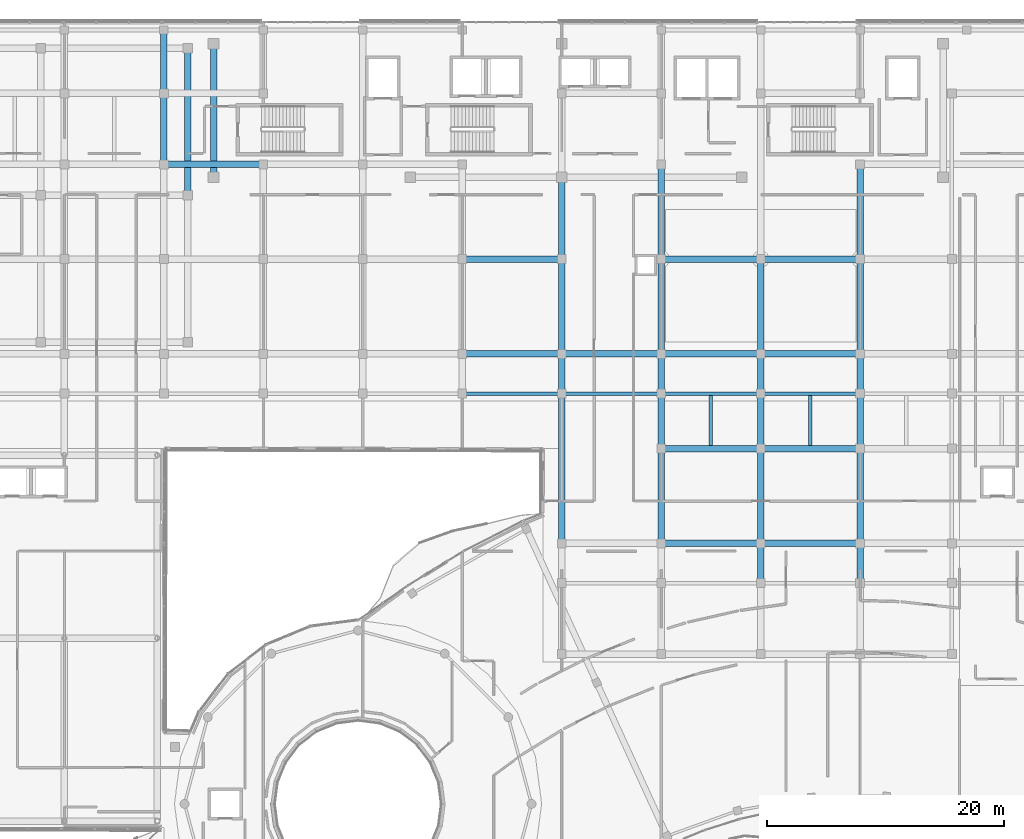
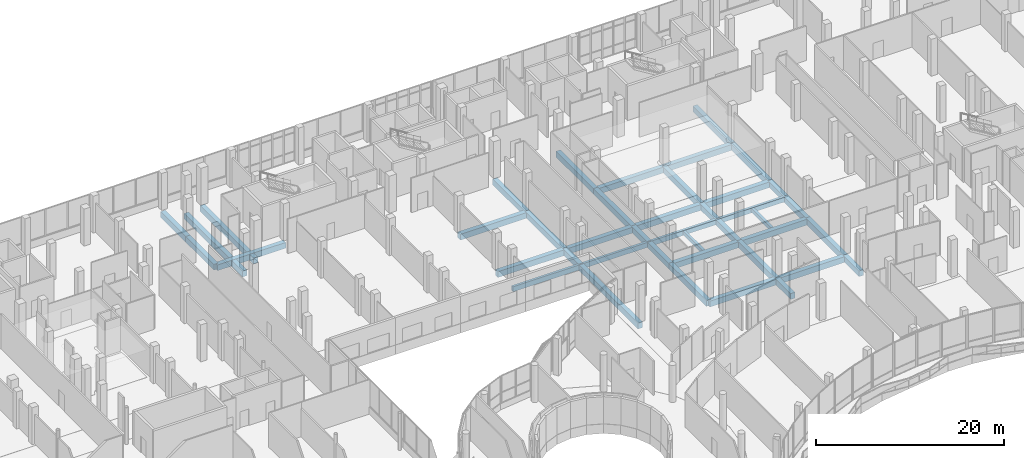
# One storey, part 81 of 155: 42 beams.
"""IFC4 building model written with IfcOpenShell, lengths in metres."""

from ifc_helpers import new_model, si_unit, direction, frame, origin, origin_2d, place, context, subcontext, project, spatial, rectangle, extrude, material, material_profile, profile_set, type_object, element, save


model = new_model("IFC4")

# Units and contexts
model_context = context("Model", 3, precision=1e-05, world=origin(), true_north=direction((0.0, 1.0)))
body_context = subcontext(model_context, "Body", "Model", "MODEL_VIEW")
ifc_project = project(units=[si_unit("LENGTHUNIT", "METRE"), si_unit("AREAUNIT", "SQUARE_METRE"), si_unit("VOLUMEUNIT", "CUBIC_METRE"), si_unit("PLANEANGLEUNIT", "RADIAN"), si_unit("MASSUNIT", "GRAM", prefix="KILO")], contexts=[model_context])

# Site, building, storey
site_placement = place(None, origin())
site = spatial("IfcSite", under=ifc_project, at=site_placement, CompositionType="ELEMENT")
building_placement = place(site_placement, origin())
building = spatial("IfcBuilding", under=site, at=building_placement, Name="Selatvlak General Hospital", CompositionType="ELEMENT")
storey_placement = place(building_placement, frame((0.0, 0.0, 10.199951171875)))
storey = spatial("IfcBuildingStorey", under=building, at=storey_placement, Name="L02", CompositionType="ELEMENT", Elevation=10.199951171875)

# Beams
ifc_material = material(Name="Concrete C40/50", Category="concrete")
ifc_material_profile_1 = material_profile(ifc_material, rectangle(XDim=0.550048828125, YDim=0.75, at=origin_2d()), Name="RC-BM 550x750")
ifc_profile_set_1 = profile_set([ifc_material_profile_1], Name="Concrete C40/50")
beam_type_1 = type_object("IfcBeamType", Name="BM-G02", PredefinedType="BEAM", material=ifc_profile_set_1)
for number, where, z_axis, x_axis, name in (
    (1, (123.60009765625, 76.0, -0.72998046875), (1.0, 0.0, 0.0), (0.0, 1.0, 0.0), "Beam BMR-L02-0799"),
    (2, (132.0, 76.0, -0.72998046875), (1.0, 0.0, 0.0), (0.0, 1.0, 0.0), "Beam BMR-L02-0800"),
    (3, (123.60009765625, 84.0, -0.72998046875), (1.0, 0.0, 0.0), (0.0, 1.0, 0.0), "Beam BMR-L02-0813"),
    (4, (132.0, 84.0, -0.72998046875), (1.0, 0.0, 0.0), (0.0, 1.0, 0.0), "Beam BMR-L02-0814"),
    (5, (106.800048828125, 92.0, -0.72998046875), (1.0, 0.0, 0.0), (0.0, 1.0, 0.0), "Beam BMR-L02-0846"),
):
    element("IfcBeam", number, at=place(storey_placement, frame(where, z_axis=z_axis, x_axis=x_axis)), inside=storey, type_object=beam_type_1, Name=name, PredefinedType="BEAM", context=body_context, shape_type="SweptSolid", body=[
        extrude(rectangle(XDim=0.550048828125, YDim=0.75, at=origin_2d()), origin(), (0.0, 0.0, 1.0), 8.39990234375),
    ])
beam_1_placement = place(storey_placement, frame((115.199951171875, 92.0, -0.72998046875), z_axis=(1.0, 0.0, 0.0), x_axis=(0.0, 1.0, 0.0)))
element("IfcBeam", 6, at=beam_1_placement, inside=storey, type_object=beam_type_1, Name="Beam BMR-L02-0847", PredefinedType="BEAM", context=body_context, shape_type="SweptSolid", body=[
    extrude(rectangle(XDim=0.550048828125, YDim=0.75, at=origin_2d()), origin(), (0.0, 0.0, 1.0), 8.400146484375),
])
for number, where, z_axis, x_axis, name in (
    (7, (123.60009765625, 92.0, -0.72998046875), (1.0, 0.0, 0.0), (0.0, 1.0, 0.0), "Beam BMR-L02-0848"),
    (8, (132.0, 92.0, -0.72998046875), (1.0, 0.0, 0.0), (0.0, 1.0, 0.0), "Beam BMR-L02-0849"),
    (9, (106.800048828125, 100.0, -0.72998046875), (1.0, 0.0, 0.0), (0.0, 1.0, 0.0), "Beam BMR-L02-0868"),
    (10, (123.60009765625, 100.0, -0.72998046875), (1.0, 0.0, 0.0), (0.0, 1.0, 0.0), "Beam BMR-L02-0869"),
    (11, (132.0, 100.0, -0.72998046875), (1.0, 0.0, 0.0), (0.0, 1.0, 0.0), "Beam BMR-L02-0870"),
    (12, (81.60009765625, 108.0, -0.72998046875), (1.0, 0.0, 0.0), (0.0, 1.0, 0.0), "Beam BMR-L02-0887"),
):
    element("IfcBeam", number, at=place(storey_placement, frame(where, z_axis=z_axis, x_axis=x_axis)), inside=storey, type_object=beam_type_1, Name=name, PredefinedType="BEAM", context=body_context, shape_type="SweptSolid", body=[
        extrude(rectangle(XDim=0.550048828125, YDim=0.75, at=origin_2d()), origin(), (0.0, 0.0, 1.0), 8.39990234375),
    ])
beam_2_placement = place(storey_placement, frame((81.60009765625, 108.0, -0.72998046875), z_axis=(0.0, 1.0, 0.0), x_axis=(-1.0, 0.0, 0.0)))
element("IfcBeam", 13, at=beam_2_placement, inside=storey, type_object=beam_type_1, Name="Beam BMR-L02-0988", PredefinedType="BEAM", context=body_context, shape_type="SweptSolid", body=[
    extrude(rectangle(XDim=0.550048828125, YDim=0.75, at=origin_2d()), origin(), (0.0, 0.0, 1.0), 6.0),
])
beam_3_placement = place(storey_placement, frame((81.60009765625, 114.0, -0.72998046875), z_axis=(0.0, 1.0, 0.0), x_axis=(-1.0, 0.0, 0.0)))
element("IfcBeam", 14, at=beam_3_placement, inside=storey, type_object=beam_type_1, Name="Beam BMR-L02-0989", PredefinedType="BEAM", context=body_context, shape_type="SweptSolid", body=[
    extrude(rectangle(XDim=0.550048828125, YDim=0.75, at=origin_2d()), origin(), (0.0, 0.0, 1.0), 5.35009765625),
])
beam_4_placement = place(storey_placement, frame((83.60009765625, 105.39990234375, -0.72998046875), z_axis=(0.0, 1.0, 0.0), x_axis=(-1.0, 0.0, 0.0)))
element("IfcBeam", 15, at=beam_4_placement, inside=storey, type_object=beam_type_1, Name="Beam BMR-L02-0991", PredefinedType="BEAM", context=body_context, shape_type="SweptSolid", body=[
    extrude(rectangle(XDim=0.550048828125, YDim=0.75, at=origin_2d()), origin(), (0.0, 0.0, 1.0), 12.400146484375),
])
beam_5_placement = place(storey_placement, frame((85.800048828125, 106.89990234375, -0.72998046875), z_axis=(0.0, 1.0, 0.0), x_axis=(-1.0, 0.0, 0.0)))
element("IfcBeam", 16, at=beam_5_placement, inside=storey, type_object=beam_type_1, Name="Beam BMR-L02-0992", PredefinedType="BEAM", context=body_context, shape_type="SweptSolid", body=[
    extrude(rectangle(XDim=0.550048828125, YDim=0.75, at=origin_2d()), origin(), (0.0, 0.0, 1.0), 11.300048828125),
])
beam_6_placement = place(storey_placement, frame((115.199951171875, 76.0, -0.72998046875), z_axis=(0.0, 1.0, 0.0), x_axis=(-1.0, 0.0, 0.0)))
element("IfcBeam", 17, at=beam_6_placement, inside=storey, type_object=beam_type_1, Name="Beam BMR-L02-1006", PredefinedType="BEAM", context=body_context, shape_type="SweptSolid", body=[
    extrude(rectangle(XDim=0.550048828125, YDim=0.75, at=origin_2d()), origin(), (0.0, 0.0, 1.0), 12.64990234375),
])
beam_7_placement = place(storey_placement, frame((115.199951171875, 88.64990234375, -0.72998046875), z_axis=(0.0, 1.0, 0.0), x_axis=(-1.0, 0.0, 0.0)))
element("IfcBeam", 18, at=beam_7_placement, inside=storey, type_object=beam_type_1, Name="Beam BMR-L02-1007", PredefinedType="BEAM", context=body_context, shape_type="SweptSolid", body=[
    extrude(rectangle(XDim=0.550048828125, YDim=0.75, at=origin_2d()), origin(), (0.0, 0.0, 1.0), 3.35009765625),
])
beam_8_placement = place(storey_placement, frame((115.199951171875, 92.0, -0.72998046875), z_axis=(0.0, 1.0, 0.0), x_axis=(-1.0, 0.0, 0.0)))
element("IfcBeam", 19, at=beam_8_placement, inside=storey, type_object=beam_type_1, Name="Beam BMR-L02-1008", PredefinedType="BEAM", context=body_context, shape_type="SweptSolid", body=[
    extrude(rectangle(XDim=0.550048828125, YDim=0.75, at=origin_2d()), origin(), (0.0, 0.0, 1.0), 8.0),
])
beam_9_placement = place(storey_placement, frame((115.199951171875, 100.0, -0.72998046875), z_axis=(0.0, 1.0, 0.0), x_axis=(-1.0, 0.0, 0.0)))
element("IfcBeam", 20, at=beam_9_placement, inside=storey, type_object=beam_type_1, Name="Beam BMR-L02-1009", PredefinedType="BEAM", context=body_context, shape_type="SweptSolid", body=[
    extrude(rectangle(XDim=0.550048828125, YDim=0.75, at=origin_2d()), origin(), (0.0, 0.0, 1.0), 6.89990234375),
])
beam_10_placement = place(storey_placement, frame((123.60009765625, 76.0, -0.72998046875), z_axis=(0.0, 1.0, 0.0), x_axis=(-1.0, 0.0, 0.0)))
element("IfcBeam", 21, at=beam_10_placement, inside=storey, type_object=beam_type_1, Name="Beam BMR-L02-1013", PredefinedType="BEAM", context=body_context, shape_type="SweptSolid", body=[
    extrude(rectangle(XDim=0.550048828125, YDim=0.75, at=origin_2d()), origin(), (0.0, 0.0, 1.0), 8.0),
])
beam_11_placement = place(storey_placement, frame((123.60009765625, 84.0, -0.72998046875), z_axis=(0.0, 1.0, 0.0), x_axis=(-1.0, 0.0, 0.0)))
element("IfcBeam", 22, at=beam_11_placement, inside=storey, type_object=beam_type_1, Name="Beam BMR-L02-1014", PredefinedType="BEAM", context=body_context, shape_type="SweptSolid", body=[
    extrude(rectangle(XDim=0.550048828125, YDim=0.75, at=origin_2d()), origin(), (0.0, 0.0, 1.0), 4.64990234375),
])
beam_12_placement = place(storey_placement, frame((123.60009765625, 88.64990234375, -0.72998046875), z_axis=(0.0, 1.0, 0.0), x_axis=(-1.0, 0.0, 0.0)))
element("IfcBeam", 23, at=beam_12_placement, inside=storey, type_object=beam_type_1, Name="Beam BMR-L02-1015", PredefinedType="BEAM", context=body_context, shape_type="SweptSolid", body=[
    extrude(rectangle(XDim=0.550048828125, YDim=0.75, at=origin_2d()), origin(), (0.0, 0.0, 1.0), 3.35009765625),
])
for number, where, z_axis, x_axis, name in (
    (24, (123.60009765625, 92.0, -0.72998046875), (0.0, 1.0, 0.0), (-1.0, 0.0, 0.0), "Beam BMR-L02-1016"),
    (25, (123.60009765625, 100.0, -0.72998046875), (0.0, 1.0, 0.0), (-1.0, 0.0, 0.0), "Beam BMR-L02-1017"),
):
    element("IfcBeam", number, at=place(storey_placement, frame(where, z_axis=z_axis, x_axis=x_axis)), inside=storey, type_object=beam_type_1, Name=name, PredefinedType="BEAM", context=body_context, shape_type="SweptSolid", body=[
        extrude(rectangle(XDim=0.550048828125, YDim=0.75, at=origin_2d()), origin(), (0.0, 0.0, 1.0), 8.0),
    ])
beam_13_placement = place(storey_placement, frame((132.0, 72.64990234375, -0.72998046875), z_axis=(0.0, 1.0, 0.0), x_axis=(-1.0, 0.0, 0.0)))
element("IfcBeam", 26, at=beam_13_placement, inside=storey, type_object=beam_type_1, Name="Beam BMR-L02-1021", PredefinedType="BEAM", context=body_context, shape_type="SweptSolid", body=[
    extrude(rectangle(XDim=0.550048828125, YDim=0.75, at=origin_2d()), origin(), (0.0, 0.0, 1.0), 3.35009765625),
])
beam_14_placement = place(storey_placement, frame((132.0, 76.0, -0.72998046875), z_axis=(0.0, 1.0, 0.0), x_axis=(-1.0, 0.0, 0.0)))
element("IfcBeam", 27, at=beam_14_placement, inside=storey, type_object=beam_type_1, Name="Beam BMR-L02-1022", PredefinedType="BEAM", context=body_context, shape_type="SweptSolid", body=[
    extrude(rectangle(XDim=0.550048828125, YDim=0.75, at=origin_2d()), origin(), (0.0, 0.0, 1.0), 8.0),
])
beam_15_placement = place(storey_placement, frame((132.0, 84.0, -0.72998046875), z_axis=(0.0, 1.0, 0.0), x_axis=(-1.0, 0.0, 0.0)))
element("IfcBeam", 28, at=beam_15_placement, inside=storey, type_object=beam_type_1, Name="Beam BMR-L02-1023", PredefinedType="BEAM", context=body_context, shape_type="SweptSolid", body=[
    extrude(rectangle(XDim=0.550048828125, YDim=0.75, at=origin_2d()), origin(), (0.0, 0.0, 1.0), 4.64990234375),
])
beam_16_placement = place(storey_placement, frame((132.0, 88.64990234375, -0.72998046875), z_axis=(0.0, 1.0, 0.0), x_axis=(-1.0, 0.0, 0.0)))
element("IfcBeam", 29, at=beam_16_placement, inside=storey, type_object=beam_type_1, Name="Beam BMR-L02-1024", PredefinedType="BEAM", context=body_context, shape_type="SweptSolid", body=[
    extrude(rectangle(XDim=0.550048828125, YDim=0.75, at=origin_2d()), origin(), (0.0, 0.0, 1.0), 3.35009765625),
])
beam_17_placement = place(storey_placement, frame((132.0, 92.0, -0.72998046875), z_axis=(0.0, 1.0, 0.0), x_axis=(-1.0, 0.0, 0.0)))
element("IfcBeam", 30, at=beam_17_placement, inside=storey, type_object=beam_type_1, Name="Beam BMR-L02-1025", PredefinedType="BEAM", context=body_context, shape_type="SweptSolid", body=[
    extrude(rectangle(XDim=0.550048828125, YDim=0.75, at=origin_2d()), origin(), (0.0, 0.0, 1.0), 8.0),
])
beam_18_placement = place(storey_placement, frame((140.39990234375, 72.64990234375, -0.72998046875), z_axis=(0.0, 1.0, 0.0), x_axis=(-1.0, 0.0, 0.0)))
element("IfcBeam", 31, at=beam_18_placement, inside=storey, type_object=beam_type_1, Name="Beam BMR-L02-1029", PredefinedType="BEAM", context=body_context, shape_type="SweptSolid", body=[
    extrude(rectangle(XDim=0.550048828125, YDim=0.75, at=origin_2d()), origin(), (0.0, 0.0, 1.0), 3.35009765625),
])
beam_19_placement = place(storey_placement, frame((140.39990234375, 76.0, -0.72998046875), z_axis=(0.0, 1.0, 0.0), x_axis=(-1.0, 0.0, 0.0)))
element("IfcBeam", 32, at=beam_19_placement, inside=storey, type_object=beam_type_1, Name="Beam BMR-L02-1030", PredefinedType="BEAM", context=body_context, shape_type="SweptSolid", body=[
    extrude(rectangle(XDim=0.550048828125, YDim=0.75, at=origin_2d()), origin(), (0.0, 0.0, 1.0), 8.0),
])
beam_20_placement = place(storey_placement, frame((140.39990234375, 84.0, -0.72998046875), z_axis=(0.0, 1.0, 0.0), x_axis=(-1.0, 0.0, 0.0)))
element("IfcBeam", 33, at=beam_20_placement, inside=storey, type_object=beam_type_1, Name="Beam BMR-L02-1031", PredefinedType="BEAM", context=body_context, shape_type="SweptSolid", body=[
    extrude(rectangle(XDim=0.550048828125, YDim=0.75, at=origin_2d()), origin(), (0.0, 0.0, 1.0), 4.64990234375),
])
beam_21_placement = place(storey_placement, frame((140.39990234375, 88.64990234375, -0.72998046875), z_axis=(0.0, 1.0, 0.0), x_axis=(-1.0, 0.0, 0.0)))
element("IfcBeam", 34, at=beam_21_placement, inside=storey, type_object=beam_type_1, Name="Beam BMR-L02-1032", PredefinedType="BEAM", context=body_context, shape_type="SweptSolid", body=[
    extrude(rectangle(XDim=0.550048828125, YDim=0.75, at=origin_2d()), origin(), (0.0, 0.0, 1.0), 3.35009765625),
])
for number, where, z_axis, x_axis, name in (
    (35, (140.39990234375, 92.0, -0.72998046875), (0.0, 1.0, 0.0), (-1.0, 0.0, 0.0), "Beam BMR-L02-1033"),
    (36, (140.39990234375, 100.0, -0.72998046875), (0.0, 1.0, 0.0), (-1.0, 0.0, 0.0), "Beam BMR-L02-1034"),
):
    element("IfcBeam", number, at=place(storey_placement, frame(where, z_axis=z_axis, x_axis=x_axis)), inside=storey, type_object=beam_type_1, Name=name, PredefinedType="BEAM", context=body_context, shape_type="SweptSolid", body=[
        extrude(rectangle(XDim=0.550048828125, YDim=0.75, at=origin_2d()), origin(), (0.0, 0.0, 1.0), 8.0),
    ])
ifc_material_profile_2 = material_profile(ifc_material, rectangle(XDim=0.300048828125, YDim=0.5, at=origin_2d()), Name="RC-BM 300x500")
ifc_profile_set_2 = profile_set([ifc_material_profile_2], Name="Concrete C40/50")
beam_type_2 = type_object("IfcBeamType", Name="BM-J02", PredefinedType="JOIST", material=ifc_profile_set_2)
for number, where, z_axis, x_axis, name in (
    (37, (127.800048828125, 84.27490234375, -0.60498046875), (0.0, 1.0, 0.0), (-1.0, 0.0, 0.0), "Beam BMR-L02-1084"),
    (38, (136.199951171875, 84.27490234375, -0.60498046875), (0.0, 1.0, 0.0), (-1.0, 0.0, 0.0), "Beam BMR-L02-1085"),
):
    element("IfcBeam", number, at=place(storey_placement, frame(where, z_axis=z_axis, x_axis=x_axis)), inside=storey, type_object=beam_type_2, Name=name, PredefinedType="JOIST", context=body_context, shape_type="SweptSolid", body=[
        extrude(rectangle(XDim=0.300048828125, YDim=0.5, at=origin_2d()), origin(), (0.0, 0.0, 1.0), 4.22509765625),
    ])
ifc_material_profile_3 = material_profile(ifc_material, rectangle(XDim=0.300048828125, YDim=0.64990234375, at=origin_2d()), Name="RC-SP 300x650")
ifc_profile_set_3 = profile_set([ifc_material_profile_3], Name="Concrete C40/50")
beam_type_3 = type_object("IfcBeamType", Name="BM-SP1", PredefinedType="SPANDREL", material=ifc_profile_set_3)
beam_22_placement = place(storey_placement, frame((106.800048828125, 88.64990234375, -0.679931640625), z_axis=(1.0, 0.0, 0.0), x_axis=(0.0, 1.0, 0.0)))
element("IfcBeam", 39, at=beam_22_placement, inside=storey, type_object=beam_type_3, Name="Beam BMR-L02-0826", PredefinedType="SPANDREL", context=body_context, shape_type="SweptSolid", body=[
    extrude(rectangle(XDim=0.300048828125, YDim=0.64990234375, at=origin_2d()), origin(), (0.0, 0.0, 1.0), 8.39990234375),
])
beam_23_placement = place(storey_placement, frame((115.199951171875, 88.64990234375, -0.679931640625), z_axis=(1.0, 0.0, 0.0), x_axis=(0.0, 1.0, 0.0)))
element("IfcBeam", 40, at=beam_23_placement, inside=storey, type_object=beam_type_3, Name="Beam BMR-L02-0827", PredefinedType="SPANDREL", context=body_context, shape_type="SweptSolid", body=[
    extrude(rectangle(XDim=0.300048828125, YDim=0.64990234375, at=origin_2d()), origin(), (0.0, 0.0, 1.0), 8.400146484375),
])
for number, where, z_axis, x_axis, name in (
    (41, (123.60009765625, 88.64990234375, -0.679931640625), (1.0, 0.0, 0.0), (0.0, 1.0, 0.0), "Beam BMR-L02-0828"),
    (42, (132.0, 88.64990234375, -0.679931640625), (1.0, 0.0, 0.0), (0.0, 1.0, 0.0), "Beam BMR-L02-0829"),
):
    element("IfcBeam", number, at=place(storey_placement, frame(where, z_axis=z_axis, x_axis=x_axis)), inside=storey, type_object=beam_type_3, Name=name, PredefinedType="SPANDREL", context=body_context, shape_type="SweptSolid", body=[
        extrude(rectangle(XDim=0.300048828125, YDim=0.64990234375, at=origin_2d()), origin(), (0.0, 0.0, 1.0), 8.39990234375),
    ])

save(model, "model.ifc")
